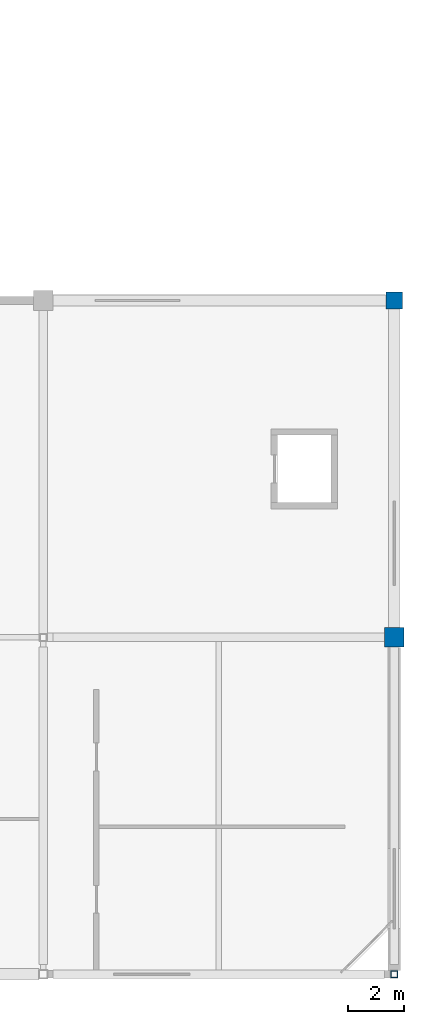
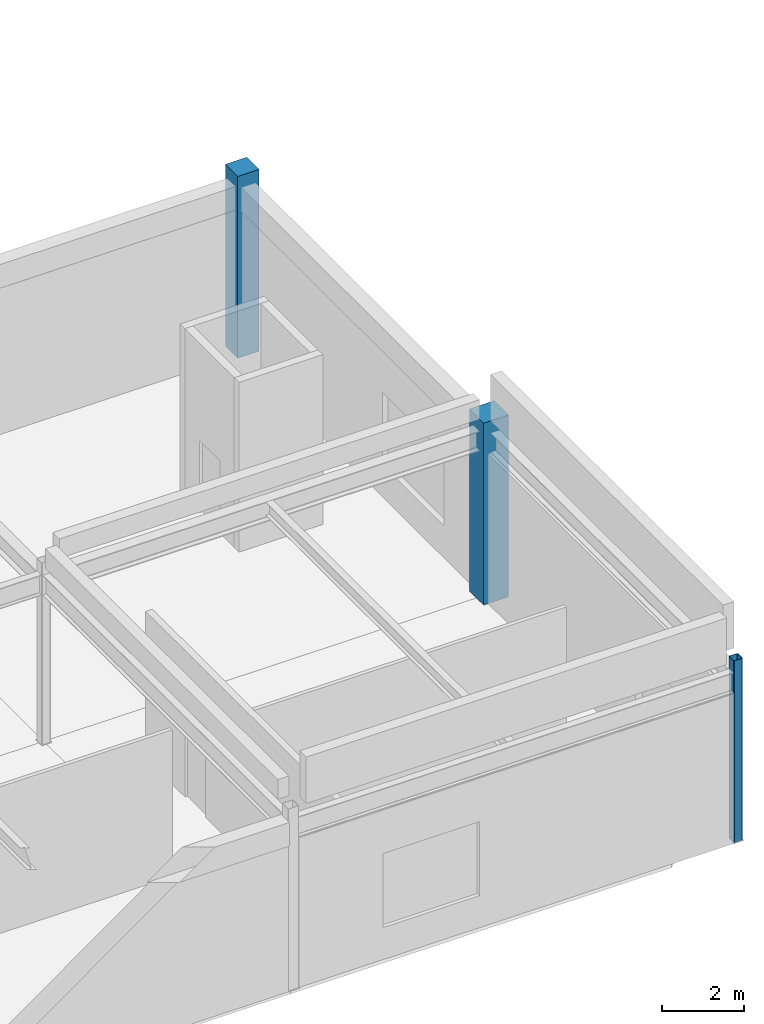
# One storey, part 15 of 76: 3 columns.
"""IFC4 building model written with IfcOpenShell, lengths in metres."""

from ifc_helpers import new_model, si_unit, direction, frame, origin, origin_2d, place, context, subcontext, project, spatial, rectangle, hollow_rectangle, extrude, material, material_profile, profile_set, type_object, element, save


model = new_model("IFC4")

# Units and contexts
model_context = context("Model", 3, precision=1e-05, world=origin(), true_north=direction((0.0, 1.0)))
body_context = subcontext(model_context, "Body", "Model", "MODEL_VIEW")
ifc_project = project(units=[si_unit("LENGTHUNIT", "METRE"), si_unit("AREAUNIT", "SQUARE_METRE"), si_unit("VOLUMEUNIT", "CUBIC_METRE"), si_unit("PLANEANGLEUNIT", "RADIAN"), si_unit("MASSUNIT", "GRAM", prefix="KILO")], contexts=[model_context])

# Site, building, storey
site_placement = place(None, origin())
site = spatial("IfcSite", under=ifc_project, at=site_placement, CompositionType="ELEMENT")
building_placement = place(site_placement, origin())
building = spatial("IfcBuilding", under=site, at=building_placement, Name="Kazenohara Klinker Stadium", CompositionType="ELEMENT")
storey_placement = place(building_placement, frame((0.0, 0.0, 25.800048828125)))
storey = spatial("IfcBuildingStorey", under=building, at=storey_placement, Name="L05", CompositionType="ELEMENT", Elevation=25.800048828125)

# Columns
ifc_material_1 = material(Name="Concrete C40/50", Category="concrete")
ifc_material_profile_1 = material_profile(ifc_material_1, rectangle(XDim=0.699951171875, YDim=0.699951171875, at=origin_2d()), Name="RC-COL-700x700")
ifc_profile_set_1 = profile_set([ifc_material_profile_1], Name="Concrete C40/50")
column_type_1 = type_object("IfcColumnType", Name="COL-RC06", PredefinedType="COLUMN", material=ifc_profile_set_1)
column_1_placement = place(storey_placement, frame((200.0, 24.0, 0.0), z_axis=(0.0, 0.0, 1.0), x_axis=(1.0, 0.0, 0.0)))
element("IfcColumn", 1, at=column_1_placement, inside=storey, type_object=column_type_1, Name="Column C06 L05 17/C", PredefinedType="COLUMN", context=body_context, shape_type="SweptSolid", body=[
    extrude(rectangle(XDim=0.699951171875, YDim=0.699951171875, at=origin_2d()), origin(), (0.0, 0.0, 1.0), 5.39990234375),
])
ifc_material_profile_2 = material_profile(ifc_material_1, rectangle(XDim=0.60009765625, YDim=0.60009765625, at=origin_2d()), Name="RC-COL-600x600")
ifc_profile_set_2 = profile_set([ifc_material_profile_2], Name="Concrete C40/50")
column_type_2 = type_object("IfcColumnType", Name="COL-RC07", PredefinedType="COLUMN", material=ifc_profile_set_2)
column_2_placement = place(storey_placement, frame((200.0, 36.0, 0.0), z_axis=(0.0, 0.0, 1.0), x_axis=(1.0, 0.0, 0.0)))
element("IfcColumn", 2, at=column_2_placement, inside=storey, type_object=column_type_2, Name="Column C07 L05 17/D", PredefinedType="COLUMN", context=body_context, shape_type="SweptSolid", body=[
    extrude(rectangle(XDim=0.60009765625, YDim=0.60009765625, at=origin_2d()), origin(), (0.0, 0.0, 1.0), 5.39990234375),
])
ifc_material_2 = material(Name="Steel S355", Category="steel")
ifc_material_profile_3 = material_profile(ifc_material_2, hollow_rectangle(XDim=0.25, YDim=0.25, WallThickness=0.011962890625, InnerFilletRadius=0.011962890625, OuterFilletRadius=0.02392578125, at=origin_2d()), Name="SHS-250x250x12")
ifc_profile_set_3 = profile_set([ifc_material_profile_3], Name="Steel S355")
column_type_3 = type_object("IfcColumnType", Name="COL-ST04", PredefinedType="COLUMN", material=ifc_profile_set_3)
column_3_placement = place(storey_placement, frame((200.0, 12.0, 0.0), z_axis=(0.0, 0.0, 1.0), x_axis=(1.0, 0.0, 0.0)))
element("IfcColumn", 3, at=column_3_placement, inside=storey, type_object=column_type_3, Name="Column SC04 L05 17/B", PredefinedType="COLUMN", context=body_context, shape_type="SweptSolid", body=[
    extrude(hollow_rectangle(XDim=0.25, YDim=0.25, WallThickness=0.011962890625, InnerFilletRadius=0.011962890625, OuterFilletRadius=0.02392578125, at=origin_2d()), origin(), (0.0, 0.0, 1.0), 5.39990234375),
])

save(model, "model.ifc")
